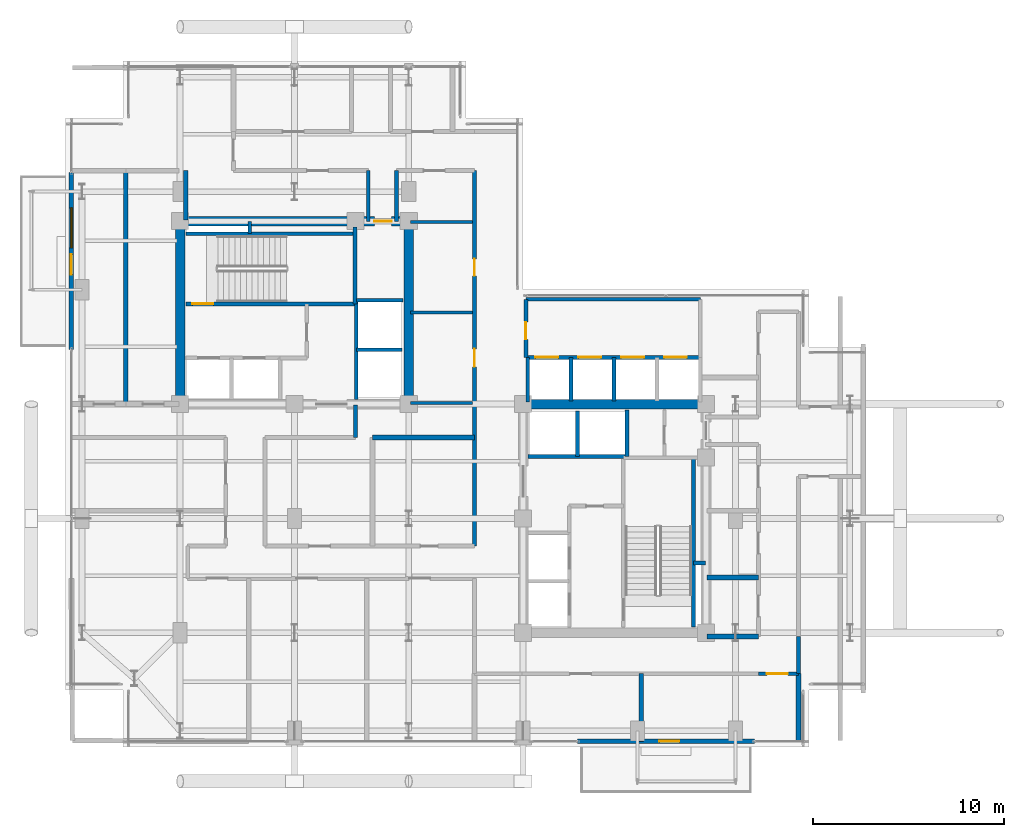
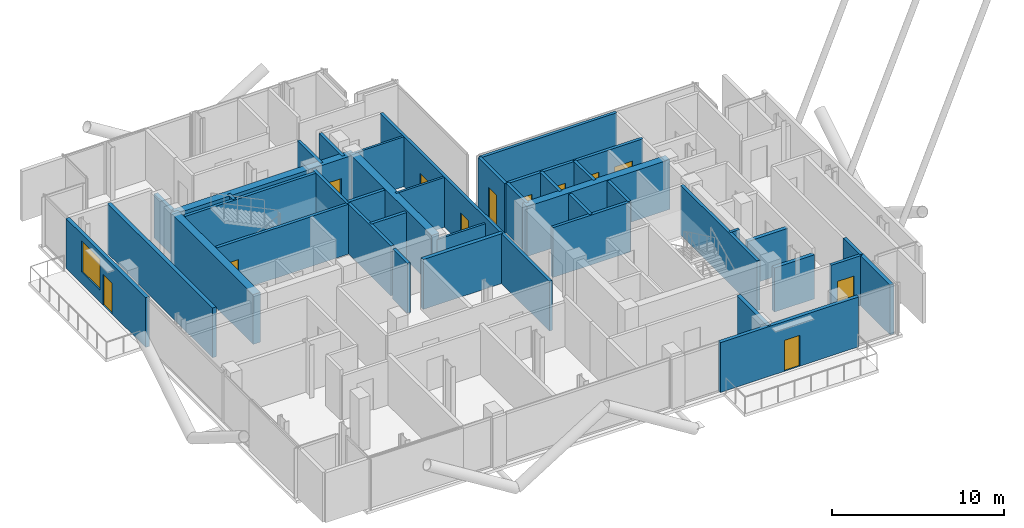
# One storey, part 21 of 26: 40 walls, 12 doors, 1 window, 13 openings.
"""IFC4 building model written with IfcOpenShell, lengths in metres."""

from ifc_helpers import new_model, si_unit, direction, frame, frame_2d, origin, place, context, subcontext, project, spatial, rectangle, extrude, material, layer, layer_set, type_object, element, fill, save


model = new_model("IFC4")

# Units and contexts
model_context = context("Model", 3, precision=1e-05, world=origin(), true_north=direction((0.0, 1.0)))
body_context = subcontext(model_context, "Body", "Model", "MODEL_VIEW")
ifc_project = project(units=[si_unit("LENGTHUNIT", "METRE"), si_unit("AREAUNIT", "SQUARE_METRE"), si_unit("VOLUMEUNIT", "CUBIC_METRE"), si_unit("PLANEANGLEUNIT", "RADIAN"), si_unit("MASSUNIT", "GRAM", prefix="KILO"), si_unit("THERMODYNAMICTEMPERATUREUNIT", "KELVIN"), si_unit("POWERUNIT", "WATT")], contexts=[model_context])

# Site, building, storey
site_placement = place(None, origin())
site = spatial("IfcSite", under=ifc_project, at=site_placement, CompositionType="ELEMENT")
building_placement = place(site_placement, origin())
building = spatial("IfcBuilding", under=site, at=building_placement, Name="Svarakhadi Broadcast Tower", CompositionType="ELEMENT")
storey_placement = place(building_placement, frame((0.0, 0.0, 184.199951171875)))
storey = spatial("IfcBuildingStorey", under=building, at=storey_placement, Name="L45", CompositionType="ELEMENT", Elevation=184.199951171875)

# Walls
ifc_material_1 = material(Name="Double-Stud Acoustic Studio Partition STC-62", Category="gypsum")
ifc_layer_1 = layer(ifc_material_1, 0.25)
ifc_layer_set_1 = layer_set([ifc_layer_1], Name="Double-Stud Acoustic Studio Partition STC-62")
wall_type_1 = type_object("IfcWallType", Name="Wall_Acoust_250", PredefinedType="PARTITIONING", material=ifc_layer_set_1)
wall_1_placement = place(storey_placement, frame((16.10009765625, 16.25, 0.0), z_axis=(0.0, 0.0, 1.0), x_axis=(1.0, 0.0, 0.0)))
element("IfcWall", 1, at=wall_1_placement, inside=storey, type_object=wall_type_1, Name="L45 Accessible Floor Washroom WC Wall", PredefinedType="PARTITIONING", context=body_context, shape_type="SweptSolid", body=[
    extrude(rectangle(XDim=5.349853515625, YDim=0.25, at=frame_2d((2.6748046875, 0.0))), origin(), (0.0, 0.0, 1.0), 3.5400390625),
])
wall_2_placement = place(storey_placement, frame((3.14990234375, 18.0, 0.0), z_axis=(0.0, 0.0, 1.0), x_axis=(0.0, 1.0, 0.0)))
element("IfcWall", 2, at=wall_2_placement, inside=storey, type_object=wall_type_1, Name="L45 Diplomatic Sunset Lounge Wall", PredefinedType="PARTITIONING", context=body_context, shape_type="SweptSolid", body=[
    extrude(rectangle(XDim=12.25, YDim=0.25, at=frame_2d((6.125, 0.0))), origin(), (0.0, 0.0, 1.0), 3.5400390625),
])
for number, where, z_axis, x_axis, name in (
    (3, (30.199951171875, 0.300048828125, 0.0), (0.0, 0.0, 1.0), (0.0, 1.0, 0.0), "L45 Hotel Business Centre Office Wall"),
    (4, (38.449951171875, 0.300048828125, 0.0), (0.0, 0.0, 1.0), (0.0, 1.0, 0.0), "L45 Private Dining Salon Wall"),
):
    element("IfcWall", number, at=place(storey_placement, frame(where, z_axis=z_axis, x_axis=x_axis)), inside=storey, type_object=wall_type_1, Name=name, PredefinedType="PARTITIONING", context=body_context, shape_type="SweptSolid", body=[
        extrude(rectangle(XDim=3.550048828125, YDim=0.25, at=frame_2d((1.77490234375, 0.0))), origin(), (0.0, 0.0, 1.0), 3.5400390625),
    ])
wall_3_placement = place(storey_placement, frame((6.300048828125, 27.64990234375, 0.0), z_axis=(0.0, 0.0, 1.0), x_axis=(0.0, 1.0, 0.0)))
element("IfcWall", 5, at=wall_3_placement, inside=storey, type_object=wall_type_1, Name="L45 Guest Library Study Wall", PredefinedType="PARTITIONING", context=body_context, shape_type="SweptSolid", body=[
    extrude(rectangle(XDim=2.60009765625, YDim=0.25, at=frame_2d((1.300048828125, 0.0))), origin(), (0.0, 0.0, 1.0), 3.132080078125),
])
for number, where, z_axis, x_axis, name in (
    (6, (33.64990234375, 5.800048828125, 0.0), (0.0, 0.0, 1.0), (1.0, 0.0, 0.0), "L45 Sommelier Wine Tasting Room Wall"),
    (7, (33.64990234375, 8.89990234375, 0.0), (0.0, 0.0, 1.0), (1.0, 0.0, 0.0), "L45 Sommelier Wine Tasting Room Wall"),
):
    element("IfcWall", number, at=place(storey_placement, frame(where, z_axis=z_axis, x_axis=x_axis)), inside=storey, type_object=wall_type_1, Name=name, PredefinedType="PARTITIONING", context=body_context, shape_type="SweptSolid", body=[
        extrude(rectangle(XDim=2.7001953125, YDim=0.25, at=frame_2d((1.35009765625, 0.0))), origin(), (0.0, 0.0, 1.0), 3.132080078125),
    ])

# Wall, opening, door
ifc_material_2 = material(Name="Concrete C40/50 (IS 456 M50)", Category="concrete")
ifc_layer_2 = layer(ifc_material_2, 0.239990234375)
ifc_layer_set_2 = layer_set([ifc_layer_2], Name="Concrete C40/50 (IS 456 M50)")
wall_type_2 = type_object("IfcWallType", Name="Wall_Ext_240", PredefinedType="SOLIDWALL", material=ifc_layer_set_2)
wall_4_placement = place(storey_placement, frame((36.14501953125, 0.300048828125, 0.0), z_axis=(0.0, 0.0, 1.0), x_axis=(-1.0, 0.0, 0.0)))
wall_4 = element("IfcWall", 8, at=wall_4_placement, inside=storey, type_object=wall_type_2, Name="L45 South Tree Balcony Spandrel Wall", PredefinedType="SOLIDWALL", context=body_context, shape_type="SweptSolid", body=[
    extrude(rectangle(XDim=9.2900390625, YDim=0.239990234375, at=frame_2d((4.64501953125, 0.0))), origin(), (0.0, 0.0, 1.0), 3.5400390625),
])
opening_1_placement = place(wall_4_placement, frame((3.945068359375, 0.0, 0.0)))
opening_1 = element("IfcOpeningElement", 9, at=opening_1_placement, cuts=wall_4, Name="Opening ED-05", PredefinedType="OPENING", context=body_context, shape_type="SweptSolid", body=[
    extrude(rectangle(XDim=1.050048828125, YDim=2.199951171875, at=frame_2d((0.52490234375, 1.10009765625))), frame((0.0, 0.1298828125, 0.0), z_axis=(0.0, -1.0, 0.0), x_axis=(1.0, 0.0, 0.0)), (0.0, 0.0, 1.0), 0.260009765625),
])
ifc_material_3 = material(Name="Anodised Bronze Aluminium AA 6063-T6", Category="aluminium")
door_type_1 = type_object("IfcDoorType", Name="Door_Ext_ED05", OperationType="SINGLE_SWING_LEFT", PredefinedType="DOOR", material=ifc_material_3)
door_1_placement = place(opening_1_placement, origin())
door_1 = element("IfcDoor", 10, at=door_1_placement, inside=storey, type_object=door_type_1, Name="L45 South Tree Balcony Door", OperationType="SINGLE_SWING_LEFT", OverallHeight=2.199951171875, OverallWidth=1.050048828125, PredefinedType="DOOR", context=body_context, shape_type="SweptSolid", body=[
    extrude(rectangle(XDim=1.050048828125, YDim=2.199951171875, at=frame_2d((0.52490234375, 1.10009765625))), frame((0.0, 0.02490234375, 0.0), z_axis=(0.0, -1.0, 0.0), x_axis=(1.0, 0.0, 0.0)), (0.0, 0.0, 1.0), 0.050048828125),
])
fill(opening_1, door_1)

# Wall, openings, door, window
wall_5_placement = place(storey_placement, frame((0.300048828125, 20.85498046875, 0.0), z_axis=(0.0, 0.0, 1.0), x_axis=(0.0, 1.0, 0.0)))
wall_5 = element("IfcWall", 11, at=wall_5_placement, inside=storey, type_object=wall_type_2, Name="L45 West Tree Balcony Spandrel Wall", PredefinedType="SOLIDWALL", context=body_context, shape_type="SweptSolid", body=[
    extrude(rectangle(XDim=9.2900390625, YDim=0.239990234375, at=frame_2d((4.64501953125, 0.0))), origin(), (0.0, 0.0, 1.0), 3.5400390625),
])
opening_2_placement = place(wall_5_placement, frame((3.945068359375, 0.0, 0.0)))
opening_2 = element("IfcOpeningElement", 12, at=opening_2_placement, cuts=wall_5, Name="Opening ED-06", PredefinedType="OPENING", context=body_context, shape_type="SweptSolid", body=[
    extrude(rectangle(XDim=1.050048828125, YDim=2.199951171875, at=frame_2d((0.52490234375, 1.10009765625))), frame((0.0, 0.1298828125, 0.0), z_axis=(0.0, -1.0, 0.0), x_axis=(1.0, 0.0, 0.0)), (0.0, 0.0, 1.0), 0.260009765625),
])
opening_3_placement = place(wall_5_placement, frame((5.344970703125, 0.0, 0.85009765625)))
opening_3 = element("IfcOpeningElement", 13, at=opening_3_placement, cuts=wall_5, Name="Opening WN-06", PredefinedType="OPENING", context=body_context, shape_type="SweptSolid", body=[
    extrude(rectangle(XDim=2.10009765625, YDim=2.199951171875, at=frame_2d((1.050048828125, 1.10009765625))), frame((0.0, 0.1298828125, 0.0), z_axis=(0.0, -1.0, 0.0), x_axis=(1.0, 0.0, 0.0)), (0.0, 0.0, 1.0), 0.260009765625),
])
door_type_2 = type_object("IfcDoorType", Name="Door_Ext_ED06", OperationType="SINGLE_SWING_RIGHT", PredefinedType="DOOR", material=ifc_material_3)
door_2_placement = place(opening_2_placement, origin())
door_2 = element("IfcDoor", 14, at=door_2_placement, inside=storey, type_object=door_type_2, Name="L45 West Tree Balcony Door", OperationType="SINGLE_SWING_RIGHT", OverallHeight=2.199951171875, OverallWidth=1.050048828125, PredefinedType="DOOR", context=body_context, shape_type="SweptSolid", body=[
    extrude(rectangle(XDim=1.050048828125, YDim=2.199951171875, at=frame_2d((0.52490234375, 1.10009765625))), frame((0.0, 0.02490234375, 0.0), z_axis=(0.0, -1.0, 0.0), x_axis=(1.0, 0.0, 0.0)), (0.0, 0.0, 1.0), 0.050048828125),
])
fill(opening_2, door_2)
ifc_material_4 = material(Name="Double Low-E Laminated Acoustic Glass IGU 36 mm", Category="glass")
window_type = type_object("IfcWindowType", Name="Win_Hotel_WN06", PartitioningType="SINGLE_PANEL", PredefinedType="WINDOW", material=ifc_material_4)
window_placement = place(opening_3_placement, origin())
window = element("IfcWindow", 15, at=window_placement, inside=storey, type_object=window_type, Name="L45 West Tree Balcony Window", OverallHeight=2.199951171875, OverallWidth=2.10009765625, PartitioningType="SINGLE_PANEL", PredefinedType="WINDOW", context=body_context, shape_type="SweptSolid", body=[
    extrude(rectangle(XDim=2.10009765625, YDim=2.199951171875, at=frame_2d((1.050048828125, 1.10009765625))), frame((0.0, 0.030029296875, 0.0), z_axis=(0.0, -1.0, 0.0), x_axis=(1.0, 0.0, 0.0)), (0.0, 0.0, 1.0), 0.06005859375),
])
fill(opening_3, window)

# Walls
ifc_layer_3 = layer(ifc_material_2, 0.199951171875)
ifc_layer_set_3 = layer_set([ifc_layer_3], Name="Concrete C40/50 (IS 456 M50)")
wall_type_3 = type_object("IfcWallType", Name="Wall_Fire_200", PredefinedType="SOLIDWALL", material=ifc_layer_set_3)
for number, where, z_axis, x_axis, name in (
    (16, (9.659912109375, 26.93994140625, 0.0), (0.0, 0.0, 1.0), (0.0, 1.0, 0.0), "L45 Wet Riser Shaft East Wall"),
    (17, (32.93994140625, 9.659912109375, 0.0), (0.0, 0.0, 1.0), (1.0, 0.0, 0.0), "L45 HV Busduct Riser Shaft North Wall"),
):
    element("IfcWall", number, at=place(storey_placement, frame(where, z_axis=z_axis, x_axis=x_axis)), inside=storey, type_object=wall_type_3, Name=name, PredefinedType="SOLIDWALL", context=body_context, shape_type="SweptSolid", body=[
        extrude(rectangle(XDim=0.64013671875, YDim=0.199951171875, at=frame_2d((0.320068359375, 0.0))), origin(), (0.0, 0.0, 1.0), 3.5400390625),
    ])
wall_6_placement = place(storey_placement, frame((38.449951171875, 5.800048828125, 0.0), z_axis=(0.0, 0.0, 1.0), x_axis=(0.0, -1.0, 0.0)))
element("IfcWall", 18, at=wall_6_placement, inside=storey, type_object=wall_type_3, Name="L45 Zone 2/3 Corridor Wall", PredefinedType="SOLIDWALL", context=body_context, shape_type="SweptSolid", body=[
    extrude(rectangle(XDim=1.949951171875, YDim=0.199951171875, at=frame_2d((0.97509765625, 0.0))), origin(), (0.0, 0.0, 1.0), 3.5400390625),
])

# Wall, opening, door
wall_7_placement = place(storey_placement, frame((38.449951171875, 3.85009765625, 0.0), z_axis=(0.0, 0.0, 1.0), x_axis=(-1.0, 0.0, 0.0)))
wall_7 = element("IfcWall", 19, at=wall_7_placement, inside=storey, type_object=wall_type_3, Name="L45 Zone 2/3 Corridor Wall", PredefinedType="SOLIDWALL", context=body_context, shape_type="SweptSolid", body=[
    extrude(rectangle(XDim=2.099853515625, YDim=0.199951171875, at=frame_2d((1.0498046875, 0.0))), origin(), (0.0, 0.0, 1.0), 3.5400390625),
])
opening_4_placement = place(wall_7_placement, frame((0.550048828125, 0.0, 0.0)))
opening_4 = element("IfcOpeningElement", 20, at=opening_4_placement, cuts=wall_7, Name="Opening D-10", PredefinedType="OPENING", context=body_context, shape_type="SweptSolid", body=[
    extrude(rectangle(XDim=1.10009765625, YDim=2.25, at=frame_2d((0.550048828125, 1.125))), frame((0.0, 0.10986328125, 0.0), z_axis=(0.0, -1.0, 0.0), x_axis=(1.0, 0.0, 0.0)), (0.0, 0.0, 1.0), 0.219970703125),
])
ifc_material_5 = material(Name="Solid-Core Teak Veneer Acoustic Timber Leaf", Category="wood")
door_type_3 = type_object("IfcDoorType", Name="Door_Acoust_D10", OperationType="SINGLE_SWING_LEFT", PredefinedType="DOOR", material=ifc_material_5)
door_3_placement = place(opening_4_placement, origin())
door_3 = element("IfcDoor", 21, at=door_3_placement, inside=storey, type_object=door_type_3, Name="L45 Private Dining Salon Door", OperationType="SINGLE_SWING_LEFT", OverallHeight=2.25, OverallWidth=1.10009765625, PredefinedType="DOOR", context=body_context, shape_type="SweptSolid", body=[
    extrude(rectangle(XDim=1.10009765625, YDim=2.25, at=frame_2d((0.550048828125, 1.125))), frame((0.0, 0.02490234375, 0.0), z_axis=(0.0, -1.0, 0.0), x_axis=(1.0, 0.0, 0.0)), (0.0, 0.0, 1.0), 0.050048828125),
])
fill(opening_4, door_3)

# Wall
wall_8_placement = place(storey_placement, frame((15.199951171875, 17.949951171875, 0.0), z_axis=(0.0, 0.0, 1.0), x_axis=(0.0, -1.0, 0.0)))
element("IfcWall", 22, at=wall_8_placement, inside=storey, type_object=wall_type_3, Name="L45 Zone 2/3 Corridor Wall", PredefinedType="SOLIDWALL", context=body_context, shape_type="SweptSolid", body=[
    extrude(rectangle(XDim=1.699951171875, YDim=0.199951171875, at=frame_2d((0.85009765625, 0.0))), origin(), (0.0, 0.0, 1.0), 3.5400390625),
])

# Wall, openings, doors
wall_9_placement = place(storey_placement, frame((21.449951171875, 10.550048828125, 0.0), z_axis=(0.0, 0.0, 1.0), x_axis=(0.0, 1.0, 0.0)))
wall_9 = element("IfcWall", 23, at=wall_9_placement, inside=storey, type_object=wall_type_3, Name="L45 Zone 2/3 Corridor Wall", PredefinedType="SOLIDWALL", context=body_context, shape_type="SweptSolid", body=[
    extrude(rectangle(XDim=19.699951171875, YDim=0.199951171875, at=frame_2d((9.85009765625, 0.0))), origin(), (0.0, 0.0, 1.0), 3.5400390625),
])
opening_5_placement = place(wall_9_placement, frame((9.39990234375, 0.0, 0.0)))
opening_5 = element("IfcOpeningElement", 24, at=opening_5_placement, cuts=wall_9, Name="Opening D-07", PredefinedType="OPENING", context=body_context, shape_type="SweptSolid", body=[
    extrude(rectangle(XDim=0.949951171875, YDim=2.14990234375, at=frame_2d((0.47509765625, 1.074951171875))), frame((0.0, 0.10986328125, 0.0), z_axis=(0.0, -1.0, 0.0), x_axis=(1.0, 0.0, 0.0)), (0.0, 0.0, 1.0), 0.219970703125),
])
opening_6_placement = place(wall_9_placement, frame((14.175048828125, 0.0, 0.0)))
opening_6 = element("IfcOpeningElement", 25, at=opening_6_placement, cuts=wall_9, Name="Opening D-12", PredefinedType="OPENING", context=body_context, shape_type="SweptSolid", body=[
    extrude(rectangle(XDim=0.89990234375, YDim=2.10009765625, at=frame_2d((0.449951171875, 1.050048828125))), frame((0.0, 0.10986328125, 0.0), z_axis=(0.0, -1.0, 0.0), x_axis=(1.0, 0.0, 0.0)), (0.0, 0.0, 1.0), 0.219970703125),
])
door_type_4 = type_object("IfcDoorType", Name="Door_Office_D07", OperationType="SINGLE_SWING_RIGHT", PredefinedType="DOOR", material=ifc_material_5)
door_4_placement = place(opening_5_placement, origin())
door_4 = element("IfcDoor", 26, at=door_4_placement, inside=storey, type_object=door_type_4, Name="L45 Hotel Floor Butler Service Pantry Door", OperationType="SINGLE_SWING_RIGHT", OverallHeight=2.14990234375, OverallWidth=0.949951171875, PredefinedType="DOOR", context=body_context, shape_type="SweptSolid", body=[
    extrude(rectangle(XDim=0.949951171875, YDim=2.14990234375, at=frame_2d((0.47509765625, 1.074951171875))), frame((0.0, 0.02490234375, 0.0), z_axis=(0.0, -1.0, 0.0), x_axis=(1.0, 0.0, 0.0)), (0.0, 0.0, 1.0), 0.050048828125),
])
fill(opening_5, door_4)
door_type_5 = type_object("IfcDoorType", Name="Door_WC_D01", OperationType="SINGLE_SWING_LEFT", PredefinedType="DOOR", material=ifc_material_5)
door_5_placement = place(opening_6_placement, origin())
door_5 = element("IfcDoor", 27, at=door_5_placement, inside=storey, type_object=door_type_5, Name="L45 Accessible Guest Washroom WC Door", OperationType="SINGLE_SWING_LEFT", OverallHeight=2.10009765625, OverallWidth=0.89990234375, PredefinedType="DOOR", context=body_context, shape_type="SweptSolid", body=[
    extrude(rectangle(XDim=0.89990234375, YDim=2.10009765625, at=frame_2d((0.449951171875, 1.050048828125))), frame((0.0, 0.02490234375, 0.0), z_axis=(0.0, -1.0, 0.0), x_axis=(1.0, 0.0, 0.0)), (0.0, 0.0, 1.0), 0.050048828125),
])
fill(opening_6, door_5)

# Walls
for number, where, z_axis, x_axis, name in (
    (28, (17.35009765625, 30.25, 0.0), (0.0, 0.0, 1.0), (0.0, -1.0, 0.0), "L45 Zone 2/3 Corridor Wall"),
    (29, (15.8798828125, 27.580078125, 0.0), (0.0, 0.0, 1.0), (0.0, 1.0, 0.0), "L45 Zone 2/3 Corridor Wall"),
):
    element("IfcWall", number, at=place(storey_placement, frame(where, z_axis=z_axis, x_axis=x_axis)), inside=storey, type_object=wall_type_3, Name=name, PredefinedType="SOLIDWALL", context=body_context, shape_type="SweptSolid", body=[
        extrude(rectangle(XDim=2.669921875, YDim=0.199951171875, at=frame_2d((1.3349609375, 0.0))), origin(), (0.0, 0.0, 1.0), 3.5400390625),
    ])
ifc_material_6 = material(Name="Autoclaved Aerated Concrete Blockwork 150 mm", Category="masonry")
ifc_layer_4 = layer(ifc_material_6, 0.14990234375)
ifc_layer_set_4 = layer_set([ifc_layer_4], Name="Autoclaved Aerated Concrete Blockwork 150 mm")
wall_type_4 = type_object("IfcWallType", Name="Wall_Part_150", PredefinedType="PARTITIONING", material=ifc_layer_set_4)
wall_10_placement = place(storey_placement, frame((18.10009765625, 18.050048828125, 0.0), z_axis=(0.0, 0.0, 1.0), x_axis=(1.0, 0.0, 0.0)))
element("IfcWall", 30, at=wall_10_placement, inside=storey, type_object=wall_type_4, Name="L45 Hotel Floor Butler Service Pantry Wall", PredefinedType="PARTITIONING", context=body_context, shape_type="SweptSolid", body=[
    extrude(rectangle(XDim=3.25, YDim=0.14990234375, at=frame_2d((1.625, 0.0))), origin(), (0.0, 0.0, 1.0), 3.132080078125),
])
for number, where, z_axis, x_axis, name in (
    (31, (18.10009765625, 22.800048828125, 0.0), (0.0, 0.0, 1.0), (1.0, 0.0, 0.0), "L45 Hotel Floor Butler Service Pantry Wall"),
    (32, (18.10009765625, 27.550048828125, 0.0), (0.0, 0.0, 1.0), (1.0, 0.0, 0.0), "L45 Accessible Guest Washroom WC Wall"),
):
    element("IfcWall", number, at=place(storey_placement, frame(where, z_axis=z_axis, x_axis=x_axis)), inside=storey, type_object=wall_type_4, Name=name, PredefinedType="PARTITIONING", context=body_context, shape_type="SweptSolid", body=[
        extrude(rectangle(XDim=3.25, YDim=0.14990234375, at=frame_2d((1.625, 0.0))), origin(), (0.0, 0.0, 1.0), 3.5400390625),
    ])

# Wall, opening, door
ifc_material_7 = material(Name="Concrete C50/60 (IS 456 M60)", Category="concrete")
ifc_layer_5 = layer(ifc_material_7, 0.199951171875)
ifc_layer_set_5 = layer_set([ifc_layer_5], Name="Concrete C50/60 (IS 456 M60)")
wall_type_5 = type_object("IfcWallType", Name="Wall_Shear_200", PredefinedType="SHEAR", material=ifc_layer_set_5)
wall_11_placement = place(storey_placement, frame((6.300048828125, 23.260009765625, 0.0), z_axis=(0.0, 0.0, 1.0), x_axis=(1.0, 0.0, 0.0)))
wall_11 = element("IfcWall", 33, at=wall_11_placement, inside=storey, type_object=wall_type_5, Name="L45 Stair ST-01 South RC Shaft Wall", PredefinedType="SHEAR", context=body_context, shape_type="SweptSolid", body=[
    extrude(rectangle(XDim=8.8798828125, YDim=0.199951171875, at=frame_2d((4.43994140625, 0.0))), origin(), (0.0, 0.0, 1.0), 3.5400390625),
])
opening_7_placement = place(wall_11_placement, frame((0.35009765625, 0.0, 0.0)))
opening_7 = element("IfcOpeningElement", 34, at=opening_7_placement, cuts=wall_11, Name="Opening D-01", PredefinedType="OPENING", context=body_context, shape_type="SweptSolid", body=[
    extrude(rectangle(XDim=1.10009765625, YDim=2.199951171875, at=frame_2d((0.550048828125, 1.10009765625))), frame((0.0, 0.10986328125, 0.0), z_axis=(0.0, -1.0, 0.0), x_axis=(1.0, 0.0, 0.0)), (0.0, 0.0, 1.0), 0.219970703125),
])
ifc_material_8 = material(Name="Galvanised Powder-Coated Fire-Rated Steel Leaf", Category="steel")
door_type_6 = type_object("IfcDoorType", Name="Door_Stair_D01", OperationType="SINGLE_SWING_LEFT", PredefinedType="DOOR", material=ifc_material_8)
door_6_placement = place(opening_7_placement, origin())
door_6 = element("IfcDoor", 35, at=door_6_placement, inside=storey, type_object=door_type_6, Name="L45 Protected Exit Stair ST-01 Fire Door", OperationType="SINGLE_SWING_LEFT", OverallHeight=2.199951171875, OverallWidth=1.10009765625, PredefinedType="DOOR", context=body_context, shape_type="SweptSolid", body=[
    extrude(rectangle(XDim=1.10009765625, YDim=2.199951171875, at=frame_2d((0.550048828125, 1.10009765625))), frame((0.0, 0.02490234375, 0.0), z_axis=(0.0, -1.0, 0.0), x_axis=(1.0, 0.0, 0.0)), (0.0, 0.0, 1.0), 0.050048828125),
])
fill(opening_7, door_6)

# Walls
wall_12_placement = place(storey_placement, frame((6.300048828125, 26.93994140625, 0.0), z_axis=(0.0, 0.0, 1.0), x_axis=(1.0, 0.0, 0.0)))
element("IfcWall", 36, at=wall_12_placement, inside=storey, type_object=wall_type_5, Name="L45 Stair ST-01 North RC Shaft Wall", PredefinedType="SHEAR", context=body_context, shape_type="SweptSolid", body=[
    extrude(rectangle(XDim=8.8798828125, YDim=0.199951171875, at=frame_2d((4.43994140625, 0.0))), origin(), (0.0, 0.0, 1.0), 3.5400390625),
])
wall_13_placement = place(storey_placement, frame((15.179931640625, 23.260009765625, 0.0), z_axis=(0.0, 0.0, 1.0), x_axis=(0.0, 1.0, 0.0)))
element("IfcWall", 37, at=wall_13_placement, inside=storey, type_object=wall_type_5, Name="L45 Stair ST-01 East RC Shaft Wall", PredefinedType="SHEAR", context=body_context, shape_type="SweptSolid", body=[
    extrude(rectangle(XDim=4.0400390625, YDim=0.199951171875, at=frame_2d((2.02001953125, 0.0))), origin(), (0.0, 0.0, 1.0), 3.5400390625),
])
wall_14_placement = place(storey_placement, frame((32.93994140625, 6.300048828125, 0.0), z_axis=(0.0, 0.0, 1.0), x_axis=(0.0, 1.0, 0.0)))
element("IfcWall", 38, at=wall_14_placement, inside=storey, type_object=wall_type_5, Name="L45 Stair ST-02 East RC Shaft Wall", PredefinedType="SHEAR", context=body_context, shape_type="SweptSolid", body=[
    extrude(rectangle(XDim=8.8798828125, YDim=0.199951171875, at=frame_2d((4.43994140625, 0.0))), origin(), (0.0, 0.0, 1.0), 3.5400390625),
])
wall_15_placement = place(storey_placement, frame((15.25, 18.25, 0.0), z_axis=(0.0, 0.0, 1.0), x_axis=(0.0, 1.0, 0.0)))
element("IfcWall", 39, at=wall_15_placement, inside=storey, type_object=wall_type_5, Name="L45 High-Rise Lift LF-13/14 West Shaft Wall", PredefinedType="SHEAR", context=body_context, shape_type="SweptSolid", body=[
    extrude(rectangle(XDim=5.199951171875, YDim=0.199951171875, at=frame_2d((2.60009765625, 0.0))), origin(), (0.0, 0.0, 1.0), 3.5400390625),
])
wall_16_placement = place(storey_placement, frame((15.25, 20.85009765625, 0.0), z_axis=(0.0, 0.0, 1.0), x_axis=(1.0, 0.0, 0.0)))
element("IfcWall", 40, at=wall_16_placement, inside=storey, type_object=wall_type_5, Name="L45 High-Rise Lift LF-13/14 Divider", PredefinedType="SHEAR", context=body_context, shape_type="SweptSolid", body=[
    extrude(rectangle(XDim=2.39990234375, YDim=0.199951171875, at=frame_2d((1.199951171875, 0.0))), origin(), (0.0, 0.0, 1.0), 3.5400390625),
])
wall_17_placement = place(storey_placement, frame((15.25, 23.449951171875, 0.0), z_axis=(0.0, 0.0, 1.0), x_axis=(1.0, 0.0, 0.0)))
element("IfcWall", 41, at=wall_17_placement, inside=storey, type_object=wall_type_5, Name="L45 High-Rise Lift LF-13/14 North Wall", PredefinedType="SHEAR", context=body_context, shape_type="SweptSolid", body=[
    extrude(rectangle(XDim=2.449951171875, YDim=0.199951171875, at=frame_2d((1.22509765625, 0.0))), origin(), (0.0, 0.0, 1.0), 3.5400390625),
])
wall_18_placement = place(storey_placement, frame((24.25, 15.25, 0.0), z_axis=(0.0, 0.0, 1.0), x_axis=(1.0, 0.0, 0.0)))
element("IfcWall", 42, at=wall_18_placement, inside=storey, type_object=wall_type_5, Name="L45 High-Rise Lift LF-15/16 South Shaft Wall", PredefinedType="SHEAR", context=body_context, shape_type="SweptSolid", body=[
    extrude(rectangle(XDim=5.199951171875, YDim=0.199951171875, at=frame_2d((2.60009765625, 0.0))), origin(), (0.0, 0.0, 1.0), 3.5400390625),
])
wall_19_placement = place(storey_placement, frame((26.85009765625, 15.25, 0.0), z_axis=(0.0, 0.0, 1.0), x_axis=(0.0, 1.0, 0.0)))
element("IfcWall", 43, at=wall_19_placement, inside=storey, type_object=wall_type_5, Name="L45 High-Rise Lift LF-15/16 Divider", PredefinedType="SHEAR", context=body_context, shape_type="SweptSolid", body=[
    extrude(rectangle(XDim=2.39990234375, YDim=0.199951171875, at=frame_2d((1.199951171875, 0.0))), origin(), (0.0, 0.0, 1.0), 3.5400390625),
])
wall_20_placement = place(storey_placement, frame((29.449951171875, 15.25, 0.0), z_axis=(0.0, 0.0, 1.0), x_axis=(0.0, 1.0, 0.0)))
element("IfcWall", 44, at=wall_20_placement, inside=storey, type_object=wall_type_5, Name="L45 High-Rise Lift LF-15/16 East Wall", PredefinedType="SHEAR", context=body_context, shape_type="SweptSolid", body=[
    extrude(rectangle(XDim=2.449951171875, YDim=0.199951171875, at=frame_2d((1.22509765625, 0.0))), origin(), (0.0, 0.0, 1.0), 3.5400390625),
])
wall_21_placement = place(storey_placement, frame((24.25, 18.10009765625, 0.0), z_axis=(0.0, 0.0, 1.0), x_axis=(0.0, 1.0, 0.0)))
element("IfcWall", 45, at=wall_21_placement, inside=storey, type_object=wall_type_5, Name="L45 Bank B West Shaft Wall", PredefinedType="SHEAR", context=body_context, shape_type="SweptSolid", body=[
    extrude(rectangle(XDim=2.349853515625, YDim=0.199951171875, at=frame_2d((1.1748046875, 0.0))), origin(), (0.0, 0.0, 1.0), 3.5400390625),
])

# Wall, openings, doors
wall_22_placement = place(storey_placement, frame((24.25, 20.449951171875, 0.0), z_axis=(0.0, 0.0, 1.0), x_axis=(1.0, 0.0, 0.0)))
wall_22 = element("IfcWall", 46, at=wall_22_placement, inside=storey, type_object=wall_type_5, Name="L45 Bank B North Landing Wall", PredefinedType="SHEAR", context=body_context, shape_type="SweptSolid", body=[
    extrude(rectangle(XDim=9.050048828125, YDim=0.199951171875, at=frame_2d((4.52490234375, 0.0))), origin(), (0.0, 0.0, 1.0), 3.5400390625),
])
opening_8_placement = place(wall_22_placement, frame((0.39990234375, 0.0, 0.0)))
opening_8 = element("IfcOpeningElement", 47, at=opening_8_placement, cuts=wall_22, Name="Opening LD-02", PredefinedType="OPENING", context=body_context, shape_type="SweptSolid", body=[
    extrude(rectangle(XDim=1.199951171875, YDim=2.199951171875, at=frame_2d((0.60009765625, 1.10009765625))), frame((0.0, 0.10986328125, 0.0), z_axis=(0.0, -1.0, 0.0), x_axis=(1.0, 0.0, 0.0)), (0.0, 0.0, 1.0), 0.219970703125),
])
opening_9_placement = place(wall_22_placement, frame((2.64990234375, 0.0, 0.0)))
opening_9 = element("IfcOpeningElement", 48, at=opening_9_placement, cuts=wall_22, Name="Opening LD-02", PredefinedType="OPENING", context=body_context, shape_type="SweptSolid", body=[
    extrude(rectangle(XDim=1.199951171875, YDim=2.199951171875, at=frame_2d((0.60009765625, 1.10009765625))), frame((0.0, 0.10986328125, 0.0), z_axis=(0.0, -1.0, 0.0), x_axis=(1.0, 0.0, 0.0)), (0.0, 0.0, 1.0), 0.219970703125),
])
opening_10_placement = place(wall_22_placement, frame((4.89990234375, 0.0, 0.0)))
opening_10 = element("IfcOpeningElement", 49, at=opening_10_placement, cuts=wall_22, Name="Opening LD-02", PredefinedType="OPENING", context=body_context, shape_type="SweptSolid", body=[
    extrude(rectangle(XDim=1.199951171875, YDim=2.199951171875, at=frame_2d((0.60009765625, 1.10009765625))), frame((0.0, 0.10986328125, 0.0), z_axis=(0.0, -1.0, 0.0), x_axis=(1.0, 0.0, 0.0)), (0.0, 0.0, 1.0), 0.219970703125),
])
opening_11_placement = place(wall_22_placement, frame((7.14990234375, 0.0, 0.0)))
opening_11 = element("IfcOpeningElement", 50, at=opening_11_placement, cuts=wall_22, Name="Opening LD-02", PredefinedType="OPENING", context=body_context, shape_type="SweptSolid", body=[
    extrude(rectangle(XDim=1.199951171875, YDim=2.199951171875, at=frame_2d((0.60009765625, 1.10009765625))), frame((0.0, 0.10986328125, 0.0), z_axis=(0.0, -1.0, 0.0), x_axis=(1.0, 0.0, 0.0)), (0.0, 0.0, 1.0), 0.219970703125),
])
door_type_7 = type_object("IfcDoorType", Name="Door_Lift_LD02", OperationType="SLIDING_TO_RIGHT", PredefinedType="DOOR", material=ifc_material_8)
door_7_placement = place(opening_8_placement, origin())
door_7 = element("IfcDoor", 51, at=door_7_placement, inside=storey, type_object=door_type_7, Name="L45 Mid-Rise Lift LF-09 Landing Door", OperationType="SLIDING_TO_RIGHT", OverallHeight=2.199951171875, OverallWidth=1.199951171875, PredefinedType="DOOR", context=body_context, shape_type="SweptSolid", body=[
    extrude(rectangle(XDim=1.199951171875, YDim=2.199951171875, at=frame_2d((0.60009765625, 1.10009765625))), frame((0.0, 0.02490234375, 0.0), z_axis=(0.0, -1.0, 0.0), x_axis=(1.0, 0.0, 0.0)), (0.0, 0.0, 1.0), 0.050048828125),
])
fill(opening_8, door_7)
door_8_placement = place(opening_9_placement, origin())
door_8 = element("IfcDoor", 52, at=door_8_placement, inside=storey, type_object=door_type_7, Name="L45 Mid-Rise Lift LF-10 Landing Door", OperationType="SLIDING_TO_RIGHT", OverallHeight=2.199951171875, OverallWidth=1.199951171875, PredefinedType="DOOR", context=body_context, shape_type="SweptSolid", body=[
    extrude(rectangle(XDim=1.199951171875, YDim=2.199951171875, at=frame_2d((0.60009765625, 1.10009765625))), frame((0.0, 0.02490234375, 0.0), z_axis=(0.0, -1.0, 0.0), x_axis=(1.0, 0.0, 0.0)), (0.0, 0.0, 1.0), 0.050048828125),
])
fill(opening_9, door_8)
door_9_placement = place(opening_10_placement, origin())
door_9 = element("IfcDoor", 53, at=door_9_placement, inside=storey, type_object=door_type_7, Name="L45 Mid-Rise Lift LF-11 Landing Door", OperationType="SLIDING_TO_RIGHT", OverallHeight=2.199951171875, OverallWidth=1.199951171875, PredefinedType="DOOR", context=body_context, shape_type="SweptSolid", body=[
    extrude(rectangle(XDim=1.199951171875, YDim=2.199951171875, at=frame_2d((0.60009765625, 1.10009765625))), frame((0.0, 0.02490234375, 0.0), z_axis=(0.0, -1.0, 0.0), x_axis=(1.0, 0.0, 0.0)), (0.0, 0.0, 1.0), 0.050048828125),
])
fill(opening_10, door_9)
door_10_placement = place(opening_11_placement, origin())
door_10 = element("IfcDoor", 54, at=door_10_placement, inside=storey, type_object=door_type_7, Name="L45 Mid-Rise Lift LF-12 Landing Door", OperationType="SLIDING_TO_RIGHT", OverallHeight=2.199951171875, OverallWidth=1.199951171875, PredefinedType="DOOR", context=body_context, shape_type="SweptSolid", body=[
    extrude(rectangle(XDim=1.199951171875, YDim=2.199951171875, at=frame_2d((0.60009765625, 1.10009765625))), frame((0.0, 0.02490234375, 0.0), z_axis=(0.0, -1.0, 0.0), x_axis=(1.0, 0.0, 0.0)), (0.0, 0.0, 1.0), 0.050048828125),
])
fill(opening_11, door_10)

# Walls
for number, where, z_axis, x_axis, name in (
    (55, (26.52001953125, 18.14990234375, 0.0), (0.0, 0.0, 1.0), (0.0, 1.0, 0.0), "L45 Bank B Divider"),
    (56, (28.77001953125, 18.14990234375, 0.0), (0.0, 0.0, 1.0), (0.0, 1.0, 0.0), "L45 Bank B Divider"),
):
    element("IfcWall", number, at=place(storey_placement, frame(where, z_axis=z_axis, x_axis=x_axis)), inside=storey, type_object=wall_type_5, Name=name, PredefinedType="SHEAR", context=body_context, shape_type="SweptSolid", body=[
        extrude(rectangle(XDim=2.300048828125, YDim=0.199951171875, at=frame_2d((1.14990234375, 0.0))), origin(), (0.0, 0.0, 1.0), 3.5400390625),
    ])
wall_23_placement = place(storey_placement, frame((24.14990234375, 23.5, 0.0), z_axis=(0.0, 0.0, 1.0), x_axis=(1.0, 0.0, 0.0)))
element("IfcWall", 57, at=wall_23_placement, inside=storey, type_object=wall_type_5, Name="L45 Bank B Lift Hall North Wall", PredefinedType="SHEAR", context=body_context, shape_type="SweptSolid", body=[
    extrude(rectangle(XDim=9.150146484375, YDim=0.199951171875, at=frame_2d((4.5751953125, 0.0))), origin(), (0.0, 0.0, 1.0), 3.5400390625),
])

# Wall, opening, door
wall_24_placement = place(storey_placement, frame((24.14990234375, 20.449951171875, 0.0), z_axis=(0.0, 0.0, 1.0), x_axis=(0.0, 1.0, 0.0)))
wall_24 = element("IfcWall", 58, at=wall_24_placement, inside=storey, type_object=wall_type_5, Name="L45 Bank B Lift Hall West Wall", PredefinedType="SHEAR", context=body_context, shape_type="SweptSolid", body=[
    extrude(rectangle(XDim=3.050048828125, YDim=0.199951171875, at=frame_2d((1.52490234375, 0.0))), origin(), (0.0, 0.0, 1.0), 3.5400390625),
])
opening_12_placement = place(wall_24_placement, frame((0.949951171875, 0.0, 0.0)))
opening_12 = element("IfcOpeningElement", 59, at=opening_12_placement, cuts=wall_24, Name="Opening D-04", PredefinedType="OPENING", context=body_context, shape_type="SweptSolid", body=[
    extrude(rectangle(XDim=0.89990234375, YDim=2.14990234375, at=frame_2d((0.449951171875, 1.074951171875))), frame((0.0, 0.10986328125, 0.0), z_axis=(0.0, -1.0, 0.0), x_axis=(1.0, 0.0, 0.0)), (0.0, 0.0, 1.0), 0.219970703125),
])
door_type_8 = type_object("IfcDoorType", Name="Door_Fire_D04", OperationType="SINGLE_SWING_RIGHT", PredefinedType="DOOR", material=ifc_material_8)
door_11_placement = place(opening_12_placement, origin())
door_11 = element("IfcDoor", 60, at=door_11_placement, inside=storey, type_object=door_type_8, Name="L45 Mid-Rise Lift Hall West Corridor Door", OperationType="SINGLE_SWING_RIGHT", OverallHeight=2.14990234375, OverallWidth=0.89990234375, PredefinedType="DOOR", context=body_context, shape_type="SweptSolid", body=[
    extrude(rectangle(XDim=0.89990234375, YDim=2.14990234375, at=frame_2d((0.449951171875, 1.074951171875))), frame((0.0, 0.02490234375, 0.0), z_axis=(0.0, -1.0, 0.0), x_axis=(1.0, 0.0, 0.0)), (0.0, 0.0, 1.0), 0.050048828125),
])
fill(opening_12, door_11)

ifc_layer_6 = layer(ifc_material_7, 0.5)
ifc_layer_set_6 = layer_set([ifc_layer_6], Name="Concrete C50/60 (IS 456 M60)")
wall_type_6 = type_object("IfcWallType", Name="Wall_Shear_500", PredefinedType="SHEAR", material=ifc_layer_set_6)
wall_25_placement = place(storey_placement, frame((6.0, 27.60009765625, 0.0), z_axis=(0.0, 0.0, 1.0), x_axis=(1.0, 0.0, 0.0)))
wall_25 = element("IfcWall", 61, at=wall_25_placement, inside=storey, type_object=wall_type_6, Name="L45 West Core North Shear Wall", PredefinedType="SHEAR", context=body_context, shape_type="SweptSolid", body=[
    extrude(rectangle(XDim=12.0, YDim=0.5, at=frame_2d((6.0, 0.0))), origin(), (0.0, 0.0, 1.0), 3.5400390625),
])
opening_13_placement = place(wall_25_placement, frame((10.199951171875, 0.0, 0.0)))
opening_13 = element("IfcOpeningElement", 62, at=opening_13_placement, cuts=wall_25, Name="Opening D-04", PredefinedType="OPENING", context=body_context, shape_type="SweptSolid", body=[
    extrude(rectangle(XDim=0.89990234375, YDim=2.14990234375, at=frame_2d((0.449951171875, 1.074951171875))), frame((0.0, 0.260009765625, 0.0), z_axis=(0.0, -1.0, 0.0), x_axis=(1.0, 0.0, 0.0)), (0.0, 0.0, 1.0), 0.52001953125),
])
door_12_placement = place(opening_13_placement, origin())
door_12 = element("IfcDoor", 63, at=door_12_placement, inside=storey, type_object=door_type_8, Name="L45 Core Meter Cupboard Door", OperationType="SINGLE_SWING_RIGHT", OverallHeight=2.14990234375, OverallWidth=0.89990234375, PredefinedType="DOOR", context=body_context, shape_type="SweptSolid", body=[
    extrude(rectangle(XDim=0.89990234375, YDim=2.14990234375, at=frame_2d((0.449951171875, 1.074951171875))), frame((0.0, 0.02490234375, 0.0), z_axis=(0.0, -1.0, 0.0), x_axis=(1.0, 0.0, 0.0)), (0.0, 0.0, 1.0), 0.050048828125),
])
fill(opening_13, door_12)

# Walls
for number, where, z_axis, x_axis, name in (
    (64, (6.0, 18.0, 0.0), (0.0, 0.0, 1.0), (0.0, 1.0, 0.0), "L45 West Core West Shear Wall"),
    (65, (18.0, 18.0, 0.0), (0.0, 0.0, 1.0), (0.0, 1.0, 0.0), "L45 West Core East Shear Wall"),
    (66, (24.0, 18.0, 0.0), (0.0, 0.0, 1.0), (1.0, 0.0, 0.0), "L45 East Core North Shear Wall"),
):
    element("IfcWall", number, at=place(storey_placement, frame(where, z_axis=z_axis, x_axis=x_axis)), inside=storey, type_object=wall_type_6, Name=name, PredefinedType="SHEAR", context=body_context, shape_type="SweptSolid", body=[
        extrude(rectangle(XDim=9.60009765625, YDim=0.5, at=frame_2d((4.800048828125, 0.0))), origin(), (0.0, 0.0, 1.0), 3.5400390625),
    ])

save(model, "model.ifc")
